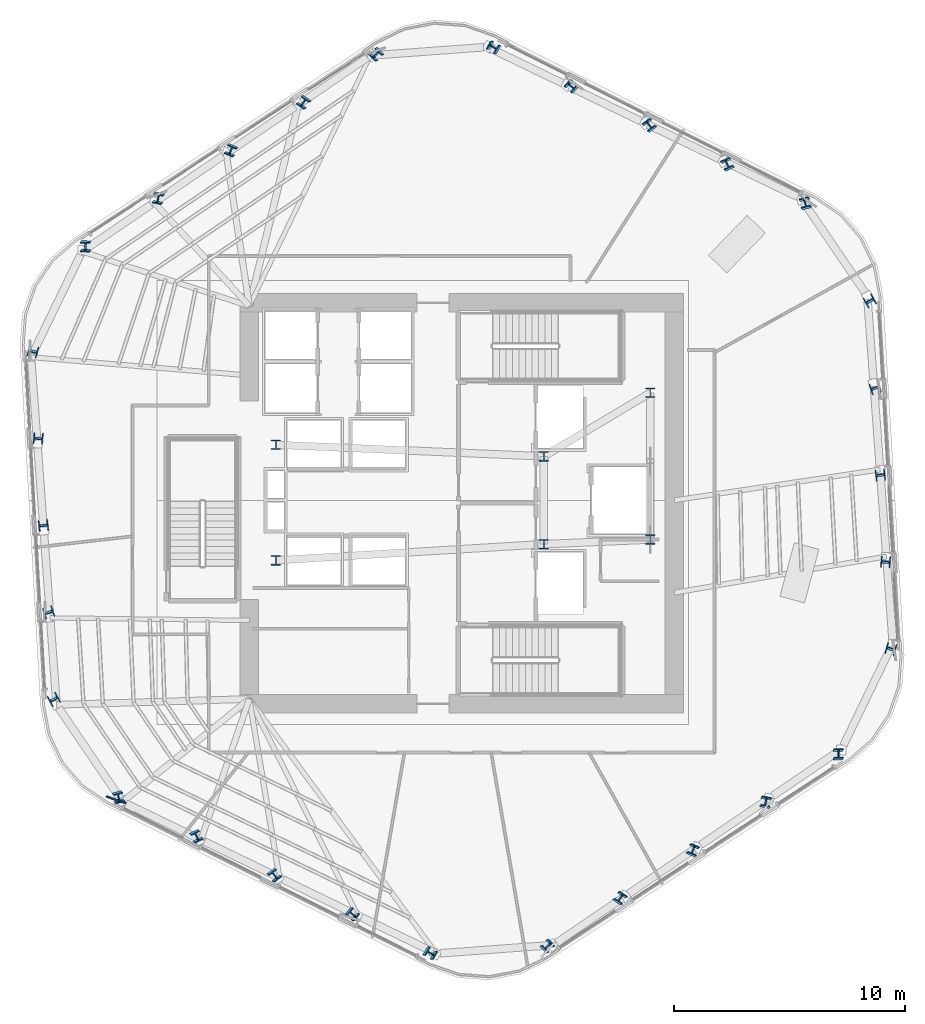
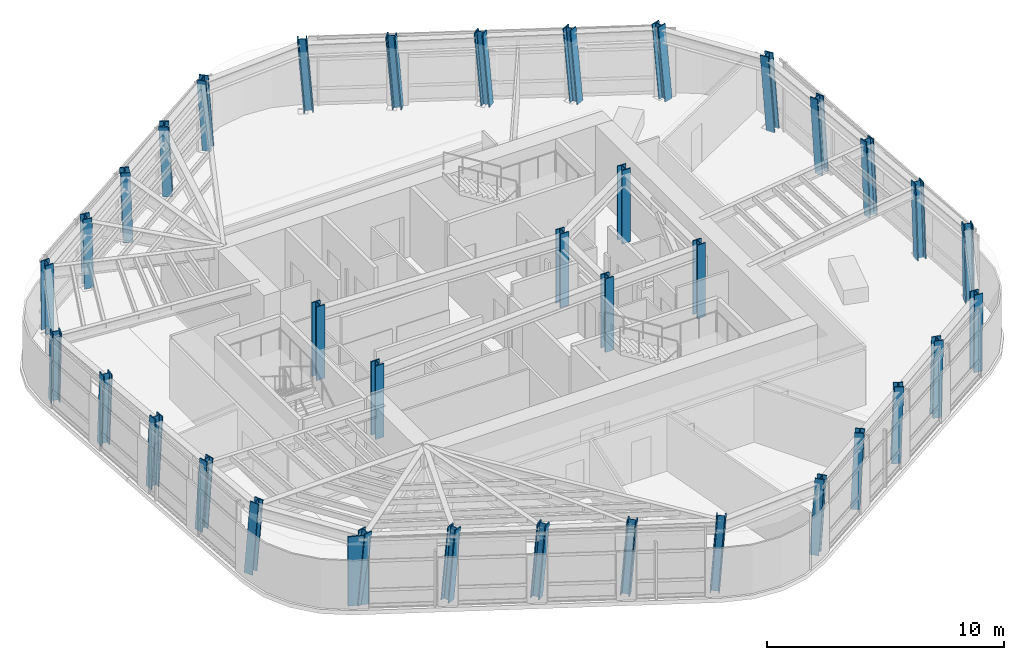
# One storey, part 1 of 15: 36 columns, 1 member.
"""IFC4 building model written with IfcOpenShell, lengths in metres."""

from ifc_helpers import new_model, si_unit, direction, frame, origin, origin_2d, place, context, subcontext, project, spatial, rectangle, i_section, extrude, material, material_profile, profile_set, type_object, element, save


model = new_model("IFC4")

# Units and contexts
model_context = context("Model", 3, precision=1e-05, world=origin(), true_north=direction((0.0, 1.0)))
body_context = subcontext(model_context, "Body", "Model", "MODEL_VIEW")
ifc_project = project(units=[si_unit("LENGTHUNIT", "METRE"), si_unit("AREAUNIT", "SQUARE_METRE"), si_unit("VOLUMEUNIT", "CUBIC_METRE"), si_unit("PLANEANGLEUNIT", "RADIAN"), si_unit("MASSUNIT", "GRAM", prefix="KILO")], contexts=[model_context])

# Site, building, storey
site_placement = place(None, origin())
site = spatial("IfcSite", under=ifc_project, at=site_placement, CompositionType="ELEMENT")
building_placement = place(site_placement, origin())
building = spatial("IfcBuilding", under=site, at=building_placement, Name="Valkerne Bourse Tower", CompositionType="ELEMENT")
storey_placement = place(building_placement, frame((0.0, 0.0, 166.60009765625)))
storey = spatial("IfcBuildingStorey", under=building, at=storey_placement, Name="L42", CompositionType="ELEMENT", Elevation=166.60009765625)

# Columns
ifc_material_1 = material(Name="Steel ASTM A913 Grade 65", Category="steel")
ifc_material_profile_1 = material_profile(ifc_material_1, i_section(OverallWidth=0.406494140625, OverallDepth=0.41650390625, WebThickness=0.02978515625, FlangeThickness=0.048095703125, FilletRadius=0.025390625, at=origin_2d()), Name="W14X257")
ifc_profile_set_1 = profile_set([ifc_material_profile_1], Name="Steel ASTM A913 Grade 65")
column_type_1 = type_object("IfcColumnType", Name="COL-W14X257", PredefinedType="COLUMN", material=ifc_profile_set_1)
column_1_placement = place(storey_placement, frame((61.68994140625, 39.81982421875, 0.010009765625), z_axis=(-0.053544342666, 0.061267084397, 0.996684176526), x_axis=(0.96737742643, 0.250687629303, 0.036559914489)))
element("IfcColumn", 1, at=column_1_placement, inside=storey, type_object=column_type_1, Name="L42 Helical Perimeter Tube Column F1-C1", PredefinedType="COLUMN", context=body_context, shape_type="SweptSolid", body=[
    extrude(i_section(OverallWidth=0.406494140625, OverallDepth=0.41650390625, WebThickness=0.02978515625, FlangeThickness=0.048095703125, FilletRadius=0.025390625, at=origin_2d()), origin(), (0.0, 0.0, 1.0), 3.793701171875),
])
column_2_placement = place(storey_placement, frame((58.321044921875, 41.514404296875, 0.010009765625), z_axis=(-0.060517076454, 0.04719044366, 0.997051024514), x_axis=(0.902639338858, 0.429014284969, 0.034481404252)))
element("IfcColumn", 2, at=column_2_placement, inside=storey, type_object=column_type_1, Name="L42 Helical Perimeter Tube Column F1-C2", PredefinedType="COLUMN", context=body_context, shape_type="SweptSolid", body=[
    extrude(i_section(OverallWidth=0.406494140625, OverallDepth=0.41650390625, WebThickness=0.02978515625, FlangeThickness=0.048095703125, FilletRadius=0.025390625, at=origin_2d()), origin(), (0.0, 0.0, 1.0), 3.792236328125),
])
column_3_placement = place(storey_placement, frame((54.9521484375, 43.20849609375, 0.010009765625), z_axis=(-0.0674137408, 0.033288351474, 0.99716963111), x_axis=(0.797282797714, 0.60265987525, 0.033781877297)))
element("IfcColumn", 3, at=column_3_placement, inside=storey, type_object=column_type_1, Name="L42 Helical Perimeter Tube Column F1-C3", PredefinedType="COLUMN", context=body_context, shape_type="SweptSolid", body=[
    extrude(i_section(OverallWidth=0.406494140625, OverallDepth=0.41650390625, WebThickness=0.02978515625, FlangeThickness=0.048095703125, FilletRadius=0.025390625, at=origin_2d()), origin(), (0.0, 0.0, 1.0), 3.791748046875),
])
column_4_placement = place(storey_placement, frame((51.583251953125, 44.903076171875, 0.010009765625), z_axis=(-0.074294425141, 0.019185215504, 0.997051786969), x_axis=(0.657135012803, 0.75298400691, 0.034476952974)))
element("IfcColumn", 4, at=column_4_placement, inside=storey, type_object=column_type_1, Name="L42 Helical Perimeter Tube Column F1-C4", PredefinedType="COLUMN", context=body_context, shape_type="SweptSolid", body=[
    extrude(i_section(OverallWidth=0.406494140625, OverallDepth=0.41650390625, WebThickness=0.02978515625, FlangeThickness=0.048095703125, FilletRadius=0.025390625, at=origin_2d()), origin(), (0.0, 0.0, 1.0), 3.792236328125),
])
column_5_placement = place(storey_placement, frame((48.21435546875, 46.597412109375, 0.010009765625), z_axis=(-0.08121738667, 0.00521284336, 0.996682779206), x_axis=(0.504131176978, 0.86285257531, 0.036567604232)))
element("IfcColumn", 5, at=column_5_placement, inside=storey, type_object=column_type_1, Name="L42 Helical Perimeter Tube Column F1-C5", PredefinedType="COLUMN", context=body_context, shape_type="SweptSolid", body=[
    extrude(i_section(OverallWidth=0.406494140625, OverallDepth=0.41650390625, WebThickness=0.02978515625, FlangeThickness=0.048095703125, FilletRadius=0.025390625, at=origin_2d()), origin(), (0.0, 0.0, 1.0), 3.793701171875),
])
column_6_placement = place(storey_placement, frame((43.142578125, 46.304931640625, 0.010009765625), z_axis=(-0.079801813779, -0.015767293851, 0.996686040317), x_axis=(-0.698832769097, 0.71388951779, -0.044660018197)))
element("IfcColumn", 6, at=column_6_placement, inside=storey, type_object=column_type_1, Name="L42 Helical Perimeter Tube Column F2-C1", PredefinedType="COLUMN", context=body_context, shape_type="SweptSolid", body=[
    extrude(i_section(OverallWidth=0.406494140625, OverallDepth=0.41650390625, WebThickness=0.02978515625, FlangeThickness=0.048095703125, FilletRadius=0.025390625, at=origin_2d()), origin(), (0.0, 0.0, 1.0), 3.79345703125),
])
column_7_placement = place(storey_placement, frame((39.99072265625, 44.234619140625, 0.010009765625), z_axis=(-0.071139762876, -0.02877780453, 0.997051138159), x_axis=(-0.820887120626, 0.569534220874, -0.042132012111)))
element("IfcColumn", 7, at=column_7_placement, inside=storey, type_object=column_type_1, Name="L42 Helical Perimeter Tube Column F2-C2", PredefinedType="COLUMN", context=body_context, shape_type="SweptSolid", body=[
    extrude(i_section(OverallWidth=0.406494140625, OverallDepth=0.41650390625, WebThickness=0.02978515625, FlangeThickness=0.048095703125, FilletRadius=0.025390625, at=origin_2d()), origin(), (0.0, 0.0, 1.0), 3.792236328125),
])
column_8_placement = place(storey_placement, frame((36.839111328125, 42.164306640625, 0.010009765625), z_axis=(-0.062520218245, -0.041787457921, 0.997168506658), x_axis=(-0.919608143298, 0.390661372145, -0.041286257934)))
element("IfcColumn", 8, at=column_8_placement, inside=storey, type_object=column_type_1, Name="L42 Helical Perimeter Tube Column F2-C3", PredefinedType="COLUMN", context=body_context, shape_type="SweptSolid", body=[
    extrude(i_section(OverallWidth=0.406494140625, OverallDepth=0.41650390625, WebThickness=0.02978515625, FlangeThickness=0.048095703125, FilletRadius=0.025390625, at=origin_2d()), origin(), (0.0, 0.0, 1.0), 3.791748046875),
])
column_9_placement = place(storey_placement, frame((33.68701171875, 40.093994140625, 0.010009765625), z_axis=(-0.05375713043, -0.05478720718, 0.997049914928), x_axis=(-0.979968712098, 0.19464193179, -0.042140736789)))
element("IfcColumn", 9, at=column_9_placement, inside=storey, type_object=column_type_1, Name="L42 Helical Perimeter Tube Column F2-C4", PredefinedType="COLUMN", context=body_context, shape_type="SweptSolid", body=[
    extrude(i_section(OverallWidth=0.406494140625, OverallDepth=0.41650390625, WebThickness=0.02978515625, FlangeThickness=0.048095703125, FilletRadius=0.025390625, at=origin_2d()), origin(), (0.0, 0.0, 1.0), 3.792236328125),
])
column_10_placement = place(storey_placement, frame((30.535400390625, 38.0234375, 0.010009765625), z_axis=(-0.045177947439, -0.067702565107, 0.99668215382), x_axis=(-0.998962652104, 0.008761692925, -0.044686154892)))
element("IfcColumn", 10, at=column_10_placement, inside=storey, type_object=column_type_1, Name="L42 Helical Perimeter Tube Column F2-C5", PredefinedType="COLUMN", context=body_context, shape_type="SweptSolid", body=[
    extrude(i_section(OverallWidth=0.406494140625, OverallDepth=0.41650390625, WebThickness=0.02978515625, FlangeThickness=0.048095703125, FilletRadius=0.025390625, at=origin_2d()), origin(), (0.0, 0.0, 1.0), 3.793701171875),
])
column_11_placement = place(storey_placement, frame((28.252685546875, 33.485107421875, 0.010009765625), z_axis=(-0.026257411495, -0.076970255265, 0.996687578003), x_axis=(-0.266783055584, -0.96033059164, -0.081190861644)))
element("IfcColumn", 11, at=column_11_placement, inside=storey, type_object=column_type_1, Name="L42 Helical Perimeter Tube Column F3-C1", PredefinedType="COLUMN", context=body_context, shape_type="SweptSolid", body=[
    extrude(i_section(OverallWidth=0.406494140625, OverallDepth=0.41650390625, WebThickness=0.02978515625, FlangeThickness=0.048095703125, FilletRadius=0.025390625, at=origin_2d()), origin(), (0.0, 0.0, 1.0), 3.79345703125),
])
column_12_placement = place(storey_placement, frame((28.4697265625, 29.72021484375, 0.010009765625), z_axis=(-0.010687078846, -0.075968391798, 0.997052952352), x_axis=(-0.081662667004, -0.993712886405, -0.076589217323)))
element("IfcColumn", 12, at=column_12_placement, inside=storey, type_object=column_type_1, Name="L42 Helical Perimeter Tube Column F3-C2", PredefinedType="COLUMN", context=body_context, shape_type="SweptSolid", body=[
    extrude(i_section(OverallWidth=0.406494140625, OverallDepth=0.41650390625, WebThickness=0.02978515625, FlangeThickness=0.048095703125, FilletRadius=0.025390625, at=origin_2d()), origin(), (0.0, 0.0, 1.0), 3.792236328125),
])
column_13_placement = place(storey_placement, frame((28.68701171875, 25.95556640625, 0.010009765625), z_axis=(0.004893457096, -0.075011546268, 0.997170658415), x_axis=(0.122247784741, -0.989658287145, -0.075046344428)))
element("IfcColumn", 13, at=column_13_placement, inside=storey, type_object=column_type_1, Name="L42 Helical Perimeter Tube Column F3-C3", PredefinedType="COLUMN", context=body_context, shape_type="SweptSolid", body=[
    extrude(i_section(OverallWidth=0.406494140625, OverallDepth=0.41650390625, WebThickness=0.02978515625, FlangeThickness=0.048095703125, FilletRadius=0.025390625, at=origin_2d()), origin(), (0.0, 0.0, 1.0), 3.791748046875),
])
column_14_placement = place(storey_placement, frame((28.90380859375, 22.19091796875, 0.010009765625), z_axis=(0.020537132406, -0.073972304495, 0.997048807411), x_axis=(0.321748387514, -0.943718087607, -0.076642979162)))
element("IfcColumn", 14, at=column_14_placement, inside=storey, type_object=column_type_1, Name="L42 Helical Perimeter Tube Column F3-C4", PredefinedType="COLUMN", context=body_context, shape_type="SweptSolid", body=[
    extrude(i_section(OverallWidth=0.406494140625, OverallDepth=0.41650390625, WebThickness=0.02978515625, FlangeThickness=0.048095703125, FilletRadius=0.025390625, at=origin_2d()), origin(), (0.0, 0.0, 1.0), 3.792236328125),
])
column_15_placement = place(storey_placement, frame((29.12109375, 18.426025390625, 0.010009765625), z_axis=(0.03603955388, -0.072915740261, 0.996686733823), x_axis=(0.492498736725, -0.866516797944, -0.081201189684)))
element("IfcColumn", 15, at=column_15_placement, inside=storey, type_object=column_type_1, Name="L42 Helical Perimeter Tube Column F3-C5", PredefinedType="COLUMN", context=body_context, shape_type="SweptSolid", body=[
    extrude(i_section(OverallWidth=0.406494140625, OverallDepth=0.41650390625, WebThickness=0.02978515625, FlangeThickness=0.048095703125, FilletRadius=0.025390625, at=origin_2d()), origin(), (0.0, 0.0, 1.0), 3.79345703125),
])
column_16_placement = place(storey_placement, frame((31.91015625, 14.18017578125, 0.010009765625), z_axis=(0.053544342666, -0.061267084397, 0.996684176526), x_axis=(0.96737742643, 0.250687629303, -0.036559914489)))
element("IfcColumn", 16, at=column_16_placement, inside=storey, type_object=column_type_1, Name="L42 Helical Perimeter Tube Column F4-C1", PredefinedType="COLUMN", context=body_context, shape_type="SweptSolid", body=[
    extrude(i_section(OverallWidth=0.406494140625, OverallDepth=0.41650390625, WebThickness=0.02978515625, FlangeThickness=0.048095703125, FilletRadius=0.025390625, at=origin_2d()), origin(), (0.0, 0.0, 1.0), 3.793701171875),
])
column_17_placement = place(storey_placement, frame((35.279052734375, 12.485595703125, 0.010009765625), z_axis=(0.06045293199, -0.047190627422, 0.997054907062), x_axis=(0.902862057613, 0.428547197798, -0.034458731589)))
element("IfcColumn", 17, at=column_17_placement, inside=storey, type_object=column_type_1, Name="L42 Helical Perimeter Tube Column F4-C2", PredefinedType="COLUMN", context=body_context, shape_type="SweptSolid", body=[
    extrude(i_section(OverallWidth=0.406494140625, OverallDepth=0.41650390625, WebThickness=0.02978515625, FlangeThickness=0.048095703125, FilletRadius=0.025390625, at=origin_2d()), origin(), (0.0, 0.0, 1.0), 3.792236328125),
])
column_18_placement = place(storey_placement, frame((38.64794921875, 10.79150390625, 0.010009765625), z_axis=(0.0674137408, -0.033288351474, 0.99716963111), x_axis=(0.797282797714, 0.60265987525, -0.033781877297)))
element("IfcColumn", 18, at=column_18_placement, inside=storey, type_object=column_type_1, Name="L42 Helical Perimeter Tube Column F4-C3", PredefinedType="COLUMN", context=body_context, shape_type="SweptSolid", body=[
    extrude(i_section(OverallWidth=0.406494140625, OverallDepth=0.41650390625, WebThickness=0.02978515625, FlangeThickness=0.048095703125, FilletRadius=0.025390625, at=origin_2d()), origin(), (0.0, 0.0, 1.0), 3.791748046875),
])
column_19_placement = place(storey_placement, frame((42.016845703125, 9.096923828125, 0.010009765625), z_axis=(0.074294425141, -0.019185215504, 0.997051786969), x_axis=(0.657135012803, 0.75298400691, -0.034476952974)))
element("IfcColumn", 19, at=column_19_placement, inside=storey, type_object=column_type_1, Name="L42 Helical Perimeter Tube Column F4-C4", PredefinedType="COLUMN", context=body_context, shape_type="SweptSolid", body=[
    extrude(i_section(OverallWidth=0.406494140625, OverallDepth=0.41650390625, WebThickness=0.02978515625, FlangeThickness=0.048095703125, FilletRadius=0.025390625, at=origin_2d()), origin(), (0.0, 0.0, 1.0), 3.792236328125),
])
for number, where, z_axis, x_axis, name in (
    (20, (45.3857421875, 7.402587890625, 0.010009765625), (0.081153454588, -0.005212870596, 0.996687986678), (0.504177249476, 0.862826869719, -0.036538938151), "L42 Helical Perimeter Tube Column F4-C5"),
    (21, (50.45751953125, 7.695068359375, 0.010009765625), (0.079801813779, 0.015767293851, 0.996686040317), (-0.698832769097, 0.71388951779, 0.044660018197), "L42 Helical Perimeter Tube Column F5-C1"),
):
    element("IfcColumn", number, at=place(storey_placement, frame(where, z_axis=z_axis, x_axis=x_axis)), inside=storey, type_object=column_type_1, Name=name, PredefinedType="COLUMN", context=body_context, shape_type="SweptSolid", body=[
        extrude(i_section(OverallWidth=0.406494140625, OverallDepth=0.41650390625, WebThickness=0.02978515625, FlangeThickness=0.048095703125, FilletRadius=0.025390625, at=origin_2d()), origin(), (0.0, 0.0, 1.0), 3.79345703125),
    ])
column_20_placement = place(storey_placement, frame((53.609130859375, 9.765380859375, 0.010009765625), z_axis=(0.071203816494, 0.02877767267, 0.997046569661), x_axis=(-0.82070571613, 0.569793186223, 0.042164587577)))
element("IfcColumn", 22, at=column_20_placement, inside=storey, type_object=column_type_1, Name="L42 Helical Perimeter Tube Column F5-C2", PredefinedType="COLUMN", context=body_context, shape_type="SweptSolid", body=[
    extrude(i_section(OverallWidth=0.406494140625, OverallDepth=0.41650390625, WebThickness=0.02978515625, FlangeThickness=0.048095703125, FilletRadius=0.025390625, at=origin_2d()), origin(), (0.0, 0.0, 1.0), 3.792236328125),
])
column_21_placement = place(storey_placement, frame((56.760986328125, 11.835693359375, 0.010009765625), z_axis=(0.062520218245, 0.041787457921, 0.997168506658), x_axis=(-0.919608143298, 0.390661372145, 0.041286257934)))
element("IfcColumn", 23, at=column_21_placement, inside=storey, type_object=column_type_1, Name="L42 Helical Perimeter Tube Column F5-C3", PredefinedType="COLUMN", context=body_context, shape_type="SweptSolid", body=[
    extrude(i_section(OverallWidth=0.406494140625, OverallDepth=0.41650390625, WebThickness=0.02978515625, FlangeThickness=0.048095703125, FilletRadius=0.025390625, at=origin_2d()), origin(), (0.0, 0.0, 1.0), 3.791748046875),
])
column_22_placement = place(storey_placement, frame((59.912841796875, 13.906005859375, 0.010009765625), z_axis=(0.053821323847, 0.054787017456, 0.997046462216), x_axis=(-0.979850745615, 0.19522960659, 0.042165353401)))
element("IfcColumn", 24, at=column_22_placement, inside=storey, type_object=column_type_1, Name="L42 Helical Perimeter Tube Column F5-C4", PredefinedType="COLUMN", context=body_context, shape_type="SweptSolid", body=[
    extrude(i_section(OverallWidth=0.406494140625, OverallDepth=0.41650390625, WebThickness=0.02978515625, FlangeThickness=0.048095703125, FilletRadius=0.025390625, at=origin_2d()), origin(), (0.0, 0.0, 1.0), 3.792236328125),
])
column_23_placement = place(storey_placement, frame((63.064697265625, 15.9765625, 0.010009765625), z_axis=(0.045113722462, 0.067702761812, 0.996685049596), x_axis=(-0.998969082565, 0.008103059684, 0.044666682255)))
element("IfcColumn", 25, at=column_23_placement, inside=storey, type_object=column_type_1, Name="L42 Helical Perimeter Tube Column F5-C5", PredefinedType="COLUMN", context=body_context, shape_type="SweptSolid", body=[
    extrude(i_section(OverallWidth=0.406494140625, OverallDepth=0.41650390625, WebThickness=0.02978515625, FlangeThickness=0.048095703125, FilletRadius=0.025390625, at=origin_2d()), origin(), (0.0, 0.0, 1.0), 3.793701171875),
])
column_24_placement = place(storey_placement, frame((65.347412109375, 20.514892578125, 0.010009765625), z_axis=(0.026257411495, 0.076970255265, 0.996687578003), x_axis=(-0.266783055584, -0.96033059164, 0.081190861644)))
element("IfcColumn", 26, at=column_24_placement, inside=storey, type_object=column_type_1, Name="L42 Helical Perimeter Tube Column F6-C1", PredefinedType="COLUMN", context=body_context, shape_type="SweptSolid", body=[
    extrude(i_section(OverallWidth=0.406494140625, OverallDepth=0.41650390625, WebThickness=0.02978515625, FlangeThickness=0.048095703125, FilletRadius=0.025390625, at=origin_2d()), origin(), (0.0, 0.0, 1.0), 3.79345703125),
])
column_25_placement = place(storey_placement, frame((65.130126953125, 24.27978515625, 0.010009765625), z_axis=(0.010687078846, 0.075968391798, 0.997052952352), x_axis=(-0.081662667004, -0.993712886405, 0.076589217323)))
element("IfcColumn", 27, at=column_25_placement, inside=storey, type_object=column_type_1, Name="L42 Helical Perimeter Tube Column F6-C2", PredefinedType="COLUMN", context=body_context, shape_type="SweptSolid", body=[
    extrude(i_section(OverallWidth=0.406494140625, OverallDepth=0.41650390625, WebThickness=0.02978515625, FlangeThickness=0.048095703125, FilletRadius=0.025390625, at=origin_2d()), origin(), (0.0, 0.0, 1.0), 3.792236328125),
])
column_26_placement = place(storey_placement, frame((64.9130859375, 28.04443359375, 0.010009765625), z_axis=(-0.004893457096, 0.075011546268, 0.997170658415), x_axis=(0.122247784741, -0.989658287145, 0.075046344428)))
element("IfcColumn", 28, at=column_26_placement, inside=storey, type_object=column_type_1, Name="L42 Helical Perimeter Tube Column F6-C3", PredefinedType="COLUMN", context=body_context, shape_type="SweptSolid", body=[
    extrude(i_section(OverallWidth=0.406494140625, OverallDepth=0.41650390625, WebThickness=0.02978515625, FlangeThickness=0.048095703125, FilletRadius=0.025390625, at=origin_2d()), origin(), (0.0, 0.0, 1.0), 3.791748046875),
])
column_27_placement = place(storey_placement, frame((64.696044921875, 31.80908203125, 0.010009765625), z_axis=(-0.020472779706, 0.073972402146, 0.997050123621), x_axis=(0.320985901544, -0.943979089127, 0.076625911416)))
element("IfcColumn", 29, at=column_27_placement, inside=storey, type_object=column_type_1, Name="L42 Helical Perimeter Tube Column F6-C4", PredefinedType="COLUMN", context=body_context, shape_type="SweptSolid", body=[
    extrude(i_section(OverallWidth=0.406494140625, OverallDepth=0.41650390625, WebThickness=0.02978515625, FlangeThickness=0.048095703125, FilletRadius=0.025390625, at=origin_2d()), origin(), (0.0, 0.0, 1.0), 3.792236328125),
])
column_28_placement = place(storey_placement, frame((64.47900390625, 35.573974609375, 0.010009765625), z_axis=(-0.036103826413, 0.072915570992, 0.996684420078), x_axis=(0.493112016012, -0.866165289993, 0.081229490188)))
element("IfcColumn", 30, at=column_28_placement, inside=storey, type_object=column_type_1, Name="L42 Helical Perimeter Tube Column F6-C5", PredefinedType="COLUMN", context=body_context, shape_type="SweptSolid", body=[
    extrude(i_section(OverallWidth=0.406494140625, OverallDepth=0.41650390625, WebThickness=0.02978515625, FlangeThickness=0.048095703125, FilletRadius=0.025390625, at=origin_2d()), origin(), (0.0, 0.0, 1.0), 3.793701171875),
])
ifc_material_profile_2 = material_profile(ifc_material_1, i_section(OverallWidth=0.408935546875, OverallDepth=0.42431640625, WebThickness=0.03271484375, FlangeThickness=0.052490234375, FilletRadius=0.025390625, at=origin_2d()), Name="W14X283")
ifc_profile_set_2 = profile_set([ifc_material_profile_2], Name="Steel ASTM A913 Grade 65")
column_type_2 = type_object("IfcColumnType", Name="COL-W14X283", PredefinedType="COLUMN", material=ifc_profile_set_2)
for number, where, z_axis, x_axis, name in (
    (31, (38.75, 24.39990234375, 0.0048828125), (0.0, 0.0, 1.0), (1.0, 0.0, 0.0), "L42 Core Frame Column CC-SW"),
    (32, (38.75, 29.39990234375, 0.0048828125), (0.0, 0.0, 1.0), (1.0, 0.0, 0.0), "L42 Core Frame Column CC-NW"),
    (33, (50.35009765625, 25.10009765625, 0.0048828125), (0.0, 0.0, 1.0), (1.0, 0.0, 0.0), "L42 Core Frame Column CC-CE1"),
    (34, (50.35009765625, 28.89990234375, 0.0048828125), (0.0, 0.0, 1.0), (1.0, 0.0, 0.0), "L42 Core Frame Column CC-CE2"),
    (35, (54.949951171875, 25.300048828125, 0.0048828125), (0.0, 0.0, 1.0), (1.0, 0.0, 0.0), "L42 Core Frame Column CC-SE"),
    (36, (54.949951171875, 31.64990234375, 0.0048828125), (0.0, 0.0, 1.0), (1.0, 0.0, 0.0), "L42 Core Frame Column CC-NE"),
):
    element("IfcColumn", number, at=place(storey_placement, frame(where, z_axis=z_axis, x_axis=x_axis)), inside=storey, type_object=column_type_2, Name=name, PredefinedType="COLUMN", context=body_context, shape_type="SweptSolid", body=[
        extrude(i_section(OverallWidth=0.408935546875, OverallDepth=0.42431640625, WebThickness=0.03271484375, FlangeThickness=0.052490234375, FilletRadius=0.025390625, at=origin_2d()), origin(), (0.0, 0.0, 1.0), 3.794921875),
    ])

# Member
ifc_material_2 = material(Name="Bronze Anodised Aluminium AA 6063-T6", Category="aluminium")
ifc_material_profile_3 = material_profile(ifc_material_2, rectangle(XDim=0.070068359375, YDim=0.89990234375, at=origin_2d()), Name="FIN-70X900")
ifc_profile_set_3 = profile_set([ifc_material_profile_3], Name="Bronze Anodised Aluminium AA 6063-T6")
member_type = type_object("IfcMemberType", Name="FIN-SOLAR-900", PredefinedType="USERDEFINED", material=ifc_profile_set_3)
member_placement = place(storey_placement, frame((31.838134765625, 14.037109375, 0.00390625), z_axis=(0.0, 0.0, 1.0), x_axis=(-0.31585003903, -0.948809123504, 0.0)))
element("IfcMember", 37, at=member_placement, inside=storey, type_object=member_type, Name="L42 Bronze Anodised Solar Fin F4-00", ObjectType="SOLAR_FIN", PredefinedType="USERDEFINED", context=body_context, shape_type="SweptSolid", body=[
    extrude(rectangle(XDim=0.070068359375, YDim=0.89990234375, at=origin_2d()), origin(), (0.0, 0.0, 1.0), 3.572021484375),
])

save(model, "model.ifc")
